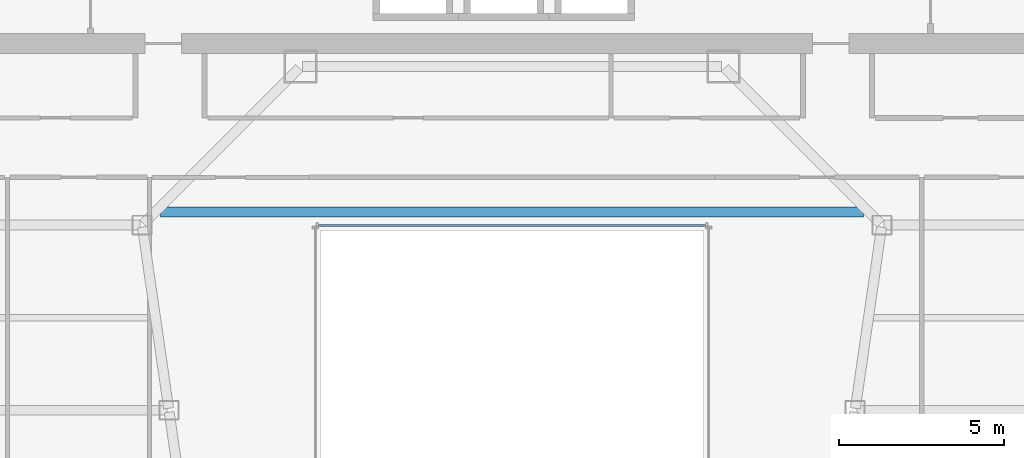
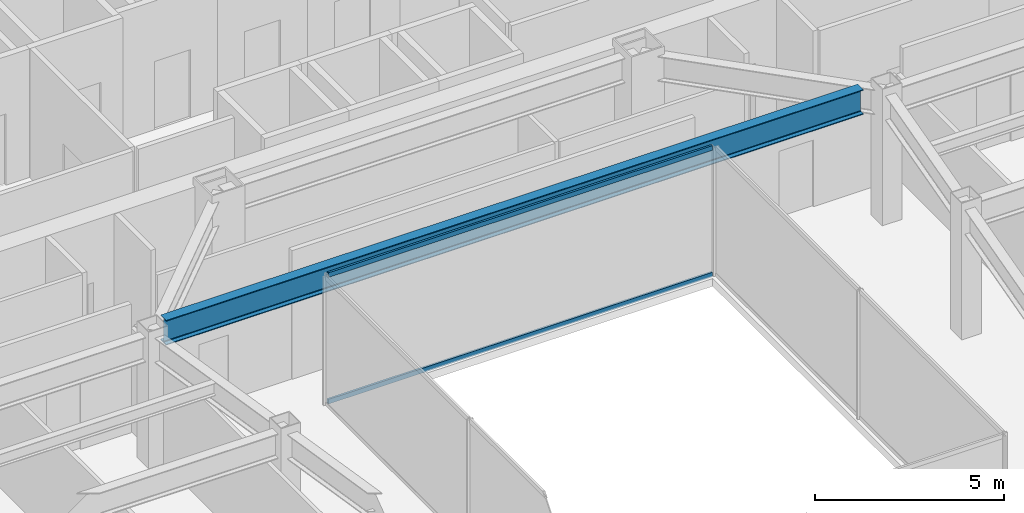
# One storey, part 13 of 37: 2 members, 1 beam, 1 element without a shape of its own.
"""IFC4 building model written with IfcOpenShell, lengths in metres."""

from ifc_helpers import new_model, si_unit, direction, frame, origin, origin_2d, place, context, subcontext, project, spatial, hollow_rectangle, i_section, extrude, material, material_profile, profile_set, type_object, element, aggregate, save


model = new_model("IFC4")

# Units and contexts
model_context = context("Model", 3, precision=1e-05, world=origin(), true_north=direction((0.0, 1.0)))
body_context = subcontext(model_context, "Body", "Model", "MODEL_VIEW")
ifc_project = project(units=[si_unit("LENGTHUNIT", "METRE"), si_unit("AREAUNIT", "SQUARE_METRE"), si_unit("VOLUMEUNIT", "CUBIC_METRE"), si_unit("PLANEANGLEUNIT", "RADIAN"), si_unit("MASSUNIT", "GRAM", prefix="KILO")], contexts=[model_context])

# Site, building, storey
site_placement = place(None, origin())
site = spatial("IfcSite", under=ifc_project, at=site_placement, CompositionType="ELEMENT")
building_placement = place(site_placement, origin())
building = spatial("IfcBuilding", under=site, at=building_placement, Name="Saevonmaru Cultural Tower", CompositionType="ELEMENT")
storey_placement = place(building_placement, frame((0.0, 0.0, 114.800048828125)))
storey = spatial("IfcBuildingStorey", under=building, at=storey_placement, Name="L24", CompositionType="ELEMENT", Elevation=114.800048828125)

# Beam
ifc_material_1 = material(Name="Steel SM420", Category="steel")
ifc_material_profile_1 = material_profile(ifc_material_1, i_section(OverallWidth=0.300048828125, OverallDepth=0.800048828125, WebThickness=0.013916015625, FlangeThickness=0.02587890625, FilletRadius=0.028076171875, at=origin_2d()), Name="H-800x300x14x26")
ifc_profile_set_1 = profile_set([ifc_material_profile_1], Name="Steel SM420")
beam_type = type_object("IfcBeamType", Name="BM-G-H800", PredefinedType="BEAM", material=ifc_profile_set_1)
beam_placement = place(storey_placement, frame((19.365234375, 38.0, 3.75), z_axis=(1.0, 0.0, 0.0), x_axis=(0.0, 1.0, 0.0)))
element("IfcBeam", 1, at=beam_placement, inside=storey, type_object=beam_type, Name="L24 Central Link Girder", PredefinedType="BEAM", context=body_context, shape_type="SweptSolid", body=[
    extrude(i_section(OverallWidth=0.300048828125, OverallDepth=0.800048828125, WebThickness=0.013916015625, FlangeThickness=0.02587890625, FilletRadius=0.028076171875, at=origin_2d()), origin(), (0.0, 0.0, 1.0), 21.26953125),
])

# Curtain wall, members
ifc_material_2 = material(Name="Satin Bronze Anodised Aluminium", Category="aluminium")
curtain_wall_type = type_object("IfcCurtainWallType", Name="CW-ATR-GLZ", PredefinedType="NOTDEFINED", material=ifc_material_2)
curtain_wall_placement = place(storey_placement, origin())
curtain_wall = element("IfcCurtainWall", 2, at=curtain_wall_placement, inside=storey, type_object=curtain_wall_type, Name="L24 Vertical Atrium Glazed Smoke Screen 3", PredefinedType="NOTDEFINED")
ifc_material_profile_2 = material_profile(ifc_material_2, hollow_rectangle(XDim=0.06494140625, YDim=0.14990234375, WallThickness=0.00390625, at=origin_2d()), Name="ALU-TRAN-150x65x4")
ifc_profile_set_2 = profile_set([ifc_material_profile_2], Name="Satin Bronze Anodised Aluminium")
member_type = type_object("IfcMemberType", Name="TR-CW-INT-150x65", PredefinedType="USERDEFINED", material=ifc_profile_set_2)
member_1_placement = place(storey_placement, frame((35.857421875, 37.590087890625, 0.032470703125), z_axis=(-1.0, 0.0, 0.0), x_axis=(0.0, -1.0, 0.0)))
member_1 = element("IfcMember", 3, at=member_1_placement, type_object=member_type, Name="CW-ATR-L24-3 transom 1.1", ObjectType="TRANSOM", PredefinedType="USERDEFINED", context=body_context, shape_type="SweptSolid", body=[
    extrude(hollow_rectangle(XDim=0.06494140625, YDim=0.14990234375, WallThickness=0.00390625, at=origin_2d()), origin(), (0.0, 0.0, 1.0), 11.71484375),
])
member_2_placement = place(storey_placement, frame((35.857421875, 37.590087890625, 4.117431640625), z_axis=(-1.0, 0.0, 0.0), x_axis=(0.0, -1.0, 0.0)))
member_2 = element("IfcMember", 4, at=member_2_placement, type_object=member_type, Name="CW-ATR-L24-3 transom 1.2", ObjectType="TRANSOM", PredefinedType="USERDEFINED", context=body_context, shape_type="SweptSolid", body=[
    extrude(hollow_rectangle(XDim=0.06494140625, YDim=0.14990234375, WallThickness=0.00390625, at=origin_2d()), origin(), (0.0, 0.0, 1.0), 11.71484375),
])
aggregate(curtain_wall, [member_1, member_2])

save(model, "model.ifc")
